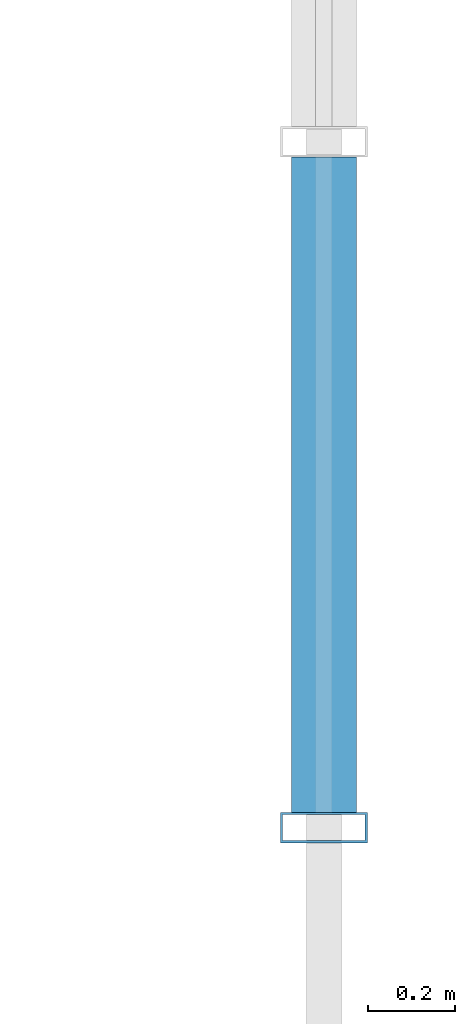
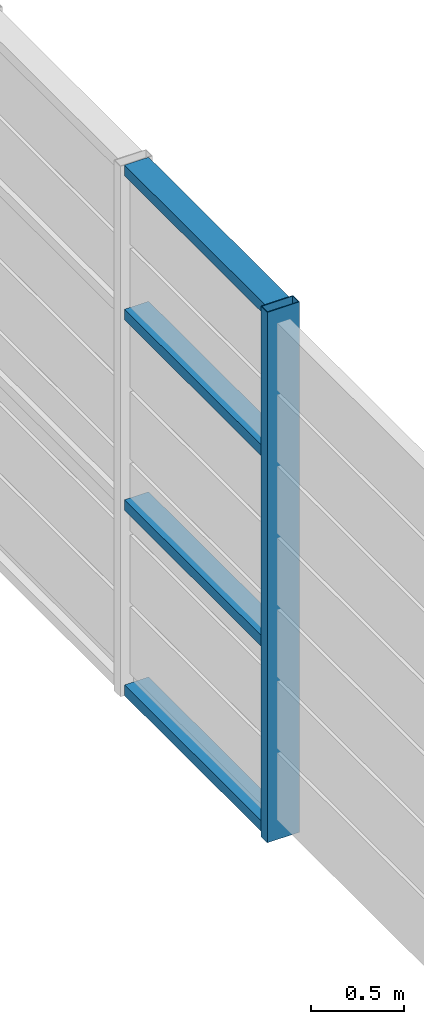
# One storey, part 6 of 21: 5 members, 1 element without a shape of its own.
"""IFC4 building model written with IfcOpenShell, lengths in metres."""

from ifc_helpers import new_model, si_unit, direction, frame, origin, origin_2d, place, context, subcontext, project, spatial, hollow_rectangle, extrude, source, transform, mapped, material, layer, layer_set, material_profile, profile_set, type_object, element, aggregate, save


model = new_model("IFC4")

# Units and contexts
model_context = context("Model", 3, precision=1e-05, world=origin(), true_north=direction((0.0, 1.0)))
body_context = subcontext(model_context, "Body", "Model", "MODEL_VIEW")
ifc_project = project(units=[si_unit("LENGTHUNIT", "METRE"), si_unit("AREAUNIT", "SQUARE_METRE"), si_unit("VOLUMEUNIT", "CUBIC_METRE"), si_unit("PLANEANGLEUNIT", "RADIAN"), si_unit("MASSUNIT", "GRAM", prefix="KILO")], contexts=[model_context])

# Site, building, storey
site_placement = place(None, origin())
site = spatial("IfcSite", under=ifc_project, at=site_placement, CompositionType="ELEMENT")
building_placement = place(site_placement, origin())
building = spatial("IfcBuilding", under=site, at=building_placement, Name="Saelheon Loggia Tower", CompositionType="ELEMENT")
storey_placement = place(building_placement, frame((0.0, 0.0, 259.800048828125)))
storey = spatial("IfcBuildingStorey", under=building, at=storey_placement, Name="CR3", CompositionType="ELEMENT", Elevation=259.800048828125)

# Curtain wall, members
ifc_material_1 = material(Name="Bronze-Anodised Aluminium and Fritted Ceramic Screen", Category="aluminium")
ifc_layer = layer(ifc_material_1, 0.219970703125)
ifc_layer_set = layer_set([ifc_layer], Name="Bronze-Anodised Aluminium and Fritted Ceramic Screen")
curtain_wall_type = type_object("IfcCurtainWallType", Name="CW_CrownScreen", PredefinedType="NOTDEFINED", material=ifc_layer_set)
curtain_wall_placement = place(storey_placement, origin())
curtain_wall = element("IfcCurtainWall", 1, at=curtain_wall_placement, inside=storey, type_object=curtain_wall_type, Name="CR3 Crown Central Screen Curtain Wall 3", PredefinedType="NOTDEFINED")
ifc_material_2 = material(Name="Bronze-Anodised Aluminium 6063-T6", Category="aluminium")
ifc_material_profile_1 = material_profile(ifc_material_2, hollow_rectangle(XDim=0.070068359375, YDim=0.199951171875, WallThickness=0.0048828125, at=origin_2d()), Name="RHS-200x70x5")
ifc_profile_set_1 = profile_set([ifc_material_profile_1], Name="Bronze-Anodised Aluminium 6063-T6")
member_type_1 = type_object("IfcMemberType", Name="CW_CrownScreen_Mullion", PredefinedType="MULLION", material=ifc_profile_set_1)
shared_shape_1 = source(origin(), body_context, "Body", "SweptSolid", [
    extrude(hollow_rectangle(XDim=0.070068359375, YDim=0.199951171875, WallThickness=0.0048828125, at=origin_2d()), origin(), (0.0, 0.0, 1.0), 3.47998046875),
])
member_1_placement = place(storey_placement, frame((52.64990234375, 21.385009765625, 0.0), z_axis=(0.0, 0.0, 1.0), x_axis=(0.0, 1.0, 0.0)))
member_1 = element("IfcMember", 2, at=member_1_placement, type_object=member_type_1, Name="CW6 mullion 1", PredefinedType="MULLION", context=body_context, shape_type="MappedRepresentation", body=[
    mapped(shared_shape_1, transform((0.0, 0.0, 0.0), scale=1.0)),
])
ifc_material_profile_2 = material_profile(ifc_material_2, hollow_rectangle(XDim=0.070068359375, YDim=0.14990234375, WallThickness=0.0048828125, at=origin_2d()), Name="RHS-150x70x5")
ifc_profile_set_2 = profile_set([ifc_material_profile_2], Name="Bronze-Anodised Aluminium 6063-T6")
member_type_2 = type_object("IfcMemberType", Name="CW_CrownScreen_Transom", PredefinedType="USERDEFINED", material=ifc_profile_set_2)
shared_shape_2 = source(origin(), body_context, "Body", "SweptSolid", [
    extrude(hollow_rectangle(XDim=0.070068359375, YDim=0.14990234375, WallThickness=0.0048828125, at=origin_2d()), origin(), (0.0, 0.0, 1.0), 1.50927734375),
])
member_2_placement = place(storey_placement, frame((52.64990234375, 21.419921875, 0.034912109375), z_axis=(0.0, 1.0, 0.0), x_axis=(0.0, 0.0, 1.0)))
member_2 = element("IfcMember", 3, at=member_2_placement, type_object=member_type_2, Name="CW6 transom 1.1", ObjectType="TRANSOM", PredefinedType="USERDEFINED", context=body_context, shape_type="MappedRepresentation", body=[
    mapped(shared_shape_2, transform((0.0, 0.0, 0.0), scale=1.0)),
])
member_3_placement = place(storey_placement, frame((52.64990234375, 21.419921875, 1.25), z_axis=(0.0, 1.0, 0.0), x_axis=(0.0, 0.0, 1.0)))
member_3 = element("IfcMember", 4, at=member_3_placement, type_object=member_type_2, Name="CW6 transom 1.2", ObjectType="TRANSOM", PredefinedType="USERDEFINED", context=body_context, shape_type="MappedRepresentation", body=[
    mapped(shared_shape_2, transform((0.0, 0.0, 0.0), scale=1.0)),
])
member_4_placement = place(storey_placement, frame((52.64990234375, 21.419921875, 2.5), z_axis=(0.0, 1.0, 0.0), x_axis=(0.0, 0.0, 1.0)))
member_4 = element("IfcMember", 5, at=member_4_placement, type_object=member_type_2, Name="CW6 transom 1.3", ObjectType="TRANSOM", PredefinedType="USERDEFINED", context=body_context, shape_type="MappedRepresentation", body=[
    mapped(shared_shape_2, transform((0.0, 0.0, 0.0), scale=1.0)),
])
member_5_placement = place(storey_placement, frame((52.64990234375, 21.419921875, 3.445068359375), z_axis=(0.0, 1.0, 0.0), x_axis=(0.0, 0.0, 1.0)))
member_5 = element("IfcMember", 6, at=member_5_placement, type_object=member_type_2, Name="CW6 transom 1.4", ObjectType="TRANSOM", PredefinedType="USERDEFINED", context=body_context, shape_type="MappedRepresentation", body=[
    mapped(shared_shape_2, transform((0.0, 0.0, 0.0), scale=1.0)),
])
aggregate(curtain_wall, [member_1, member_2, member_3, member_4, member_5])

save(model, "model.ifc")
